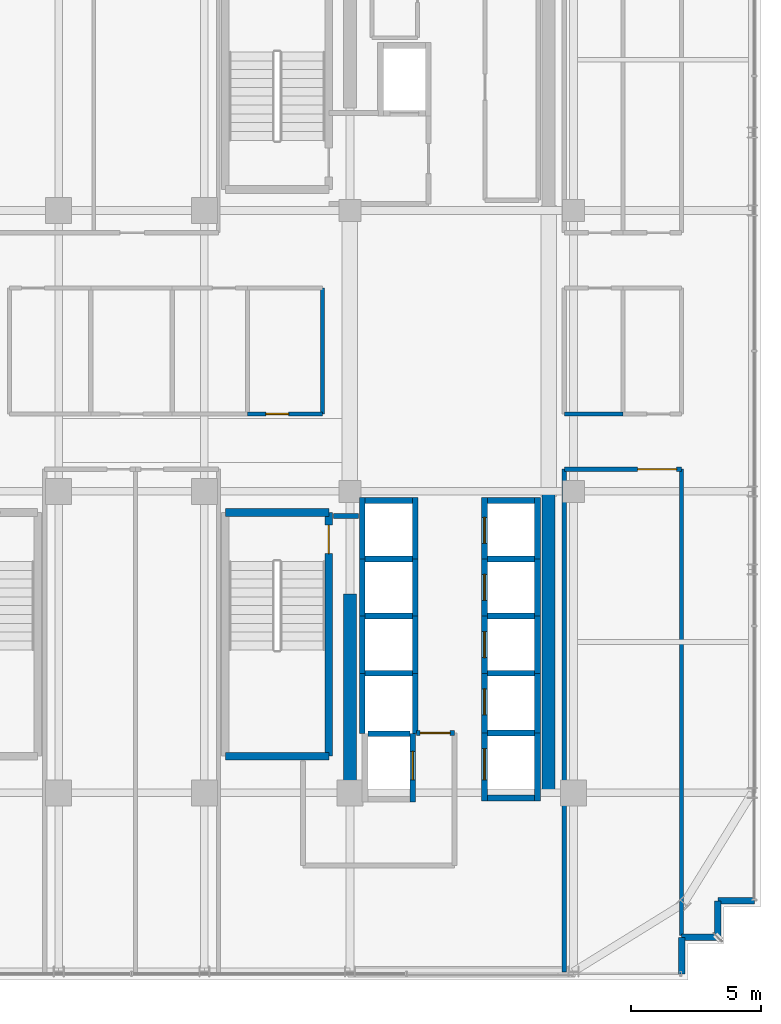
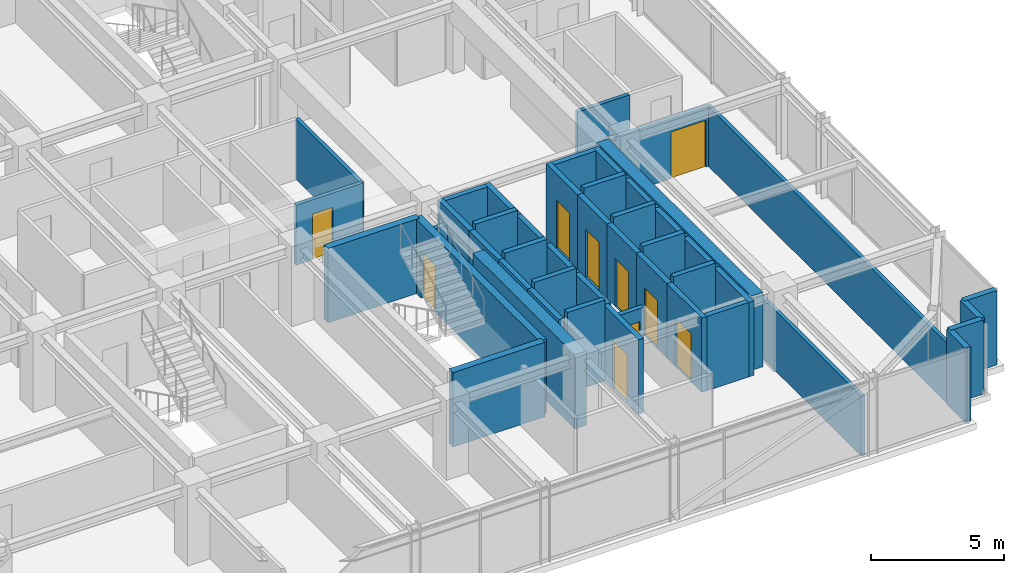
# One storey, part 35 of 41: 47 walls, 10 doors, 10 openings.
"""IFC4 building model written with IfcOpenShell, lengths in metres."""

from ifc_helpers import new_model, si_unit, direction, frame, frame_2d, origin, place, context, subcontext, project, spatial, rectangle, extrude, source, transform, mapped, material, layer, layer_set, type_object, element, fill, save


model = new_model("IFC4")

# Units and contexts
model_context = context("Model", 3, precision=1e-05, world=origin(), true_north=direction((0.0, 1.0)))
body_context = subcontext(model_context, "Body", "Model", "MODEL_VIEW")
ifc_project = project(units=[si_unit("LENGTHUNIT", "METRE"), si_unit("AREAUNIT", "SQUARE_METRE"), si_unit("VOLUMEUNIT", "CUBIC_METRE"), si_unit("PLANEANGLEUNIT", "RADIAN"), si_unit("MASSUNIT", "GRAM", prefix="KILO")], contexts=[model_context])

# Site, building, storey
site_placement = place(None, origin())
site = spatial("IfcSite", under=ifc_project, at=site_placement, CompositionType="ELEMENT")
building_placement = place(site_placement, origin())
building = spatial("IfcBuilding", under=site, at=building_placement, Name="Nahalor Promenade Grand Hotel", CompositionType="ELEMENT")
storey_placement = place(building_placement, frame((0.0, 0.0, 227.10009765625)))
storey = spatial("IfcBuildingStorey", under=building, at=storey_placement, Name="L58", CompositionType="ELEMENT", Elevation=227.10009765625)

# Walls
ifc_material_1 = material(Name="Concrete B-60 (C50/60)", Category="concrete")
ifc_layer_1 = layer(ifc_material_1, 0.5)
ifc_layer_set_1 = layer_set([ifc_layer_1], Name="Concrete B-60 (C50/60)")
wall_type_1 = type_object("IfcWallType", Name="Wall-CoreShear-500", PredefinedType="SHEAR", material=ifc_layer_set_1)
shared_shape_1 = source(origin(), body_context, "Body", "SweptSolid", [
    extrude(rectangle(XDim=7.64990234375, YDim=0.5, at=frame_2d((3.824951171875, 0.0))), origin(), (0.0, 0.0, 1.0), 3.409912109375),
])
wall_1_placement = place(storey_placement, frame((8.39990234375, -17.0, 0.0), z_axis=(0.0, 0.0, 1.0), x_axis=(0.0, 1.0, 0.0)))
element("IfcWall", 1, at=wall_1_placement, inside=storey, type_object=wall_type_1, Name="CWALL-L58-SW", PredefinedType="SHEAR", context=body_context, shape_type="MappedRepresentation", body=[
    mapped(shared_shape_1, transform((0.0, 0.0, 0.0), scale=1.0)),
])
shared_shape_2 = source(origin(), body_context, "Body", "SweptSolid", [
    extrude(rectangle(XDim=11.60009765625, YDim=0.5, at=frame_2d((5.800048828125, 0.0))), origin(), (0.0, 0.0, 1.0), 3.409912109375),
])
wall_2_placement = place(storey_placement, frame((16.050048828125, -17.0, 0.0), z_axis=(0.0, 0.0, 1.0), x_axis=(0.0, 1.0, 0.0)))
element("IfcWall", 2, at=wall_2_placement, inside=storey, type_object=wall_type_1, Name="CWALL-L58-SE", PredefinedType="SHEAR", context=body_context, shape_type="MappedRepresentation", body=[
    mapped(shared_shape_2, transform((0.0, 0.0, 0.0), scale=1.0)),
])
ifc_material_2 = material(Name="Concrete B-50 (C40/50)", Category="concrete")
ifc_layer_2 = layer(ifc_material_2, 0.300048828125)
ifc_layer_set_2 = layer_set([ifc_layer_2], Name="Concrete B-50 (C40/50)")
wall_type_2 = type_object("IfcWallType", Name="Wall-ShaftShear-300", PredefinedType="SHEAR", material=ifc_layer_set_2)
shared_shape_3 = source(origin(), body_context, "Body", "SweptSolid", [
    extrude(rectangle(XDim=3.97998046875, YDim=0.300048828125, at=frame_2d((1.989990234375, 0.0))), origin(), (0.0, 0.0, 1.0), 3.409912109375),
])
for number, where, z_axis, x_axis, name in (
    (3, (3.610107421875, -15.590087890625, 0.0), (0.0, 0.0, 1.0), (1.0, 0.0, 0.0), "L58 Exit Stair ST2 Shaft Wall S"),
    (4, (3.610107421875, -6.2099609375, 0.0), (0.0, 0.0, 1.0), (1.0, 0.0, 0.0), "L58 Exit Stair ST2 Shaft Wall N"),
):
    element("IfcWall", number, at=place(storey_placement, frame(where, z_axis=z_axis, x_axis=x_axis)), inside=storey, type_object=wall_type_2, Name=name, PredefinedType="SHEAR", context=body_context, shape_type="MappedRepresentation", body=[
        mapped(shared_shape_3, transform((0.0, 0.0, 0.0), scale=1.0)),
    ])

# Wall, opening, door
shared_shape_4 = source(origin(), body_context, "Body", "SweptSolid", [
    extrude(rectangle(XDim=9.380126953125, YDim=0.300048828125, at=frame_2d((4.68994140625, 0.0))), origin(), (0.0, 0.0, 1.0), 3.409912109375),
])
wall_3_placement = place(storey_placement, frame((7.590087890625, -15.590087890625, 0.0), z_axis=(0.0, 0.0, 1.0), x_axis=(0.0, 1.0, 0.0)))
wall_3 = element("IfcWall", 5, at=wall_3_placement, inside=storey, type_object=wall_type_2, Name="L58 Exit Stair ST2 Shaft Wall E", PredefinedType="SHEAR", context=body_context, shape_type="MappedRepresentation", body=[
    mapped(shared_shape_4, transform((0.0, 0.0, 0.0), scale=1.0)),
])
opening_1_placement = place(wall_3_placement, frame((7.7900390625, 0.0, 0.0)))
opening_1 = element("IfcOpeningElement", 6, at=opening_1_placement, cuts=wall_3, Name="Opening D-ST1", PredefinedType="OPENING", context=body_context, shape_type="SweptSolid", body=[
    extrude(rectangle(XDim=1.10009765625, YDim=2.14990234375, at=frame_2d((0.550048828125, 1.074951171875))), frame((0.0, 0.159912109375, 0.0), z_axis=(0.0, -1.0, 0.0), x_axis=(1.0, 0.0, 0.0)), (0.0, 0.0, 1.0), 0.320068359375),
])
ifc_material_3 = material(Name="Steel S355JR", Category="steel")
door_type_1 = type_object("IfcDoorType", Name="Door-StairFire-1100", OperationType="NOTDEFINED", PredefinedType="DOOR", material=ifc_material_3)
shared_shape_5 = source(origin(), body_context, "Body", "SweptSolid", [
    extrude(rectangle(XDim=1.10009765625, YDim=2.14990234375, at=frame_2d((0.550048828125, 1.074951171875))), frame((0.0, 0.02490234375, 0.0), z_axis=(0.0, -1.0, 0.0), x_axis=(1.0, 0.0, 0.0)), (0.0, 0.0, 1.0), 0.050048828125),
])
door_1_placement = place(opening_1_placement, origin())
door_1 = element("IfcDoor", 7, at=door_1_placement, inside=storey, type_object=door_type_1, Name="DR-STAIR-ST2-L58", OperationType="SINGLE_SWING_LEFT", OverallHeight=2.14990234375, OverallWidth=1.10009765625, PredefinedType="DOOR", context=body_context, shape_type="MappedRepresentation", body=[
    mapped(shared_shape_5, transform((0.0, 0.0, 0.0), scale=1.0)),
])
fill(opening_1, door_1)

ifc_layer_3 = layer(ifc_material_2, 0.219970703125)
ifc_layer_set_3 = layer_set([ifc_layer_3], Name="Concrete B-50 (C40/50)")
wall_type_3 = type_object("IfcWallType", Name="Wall-LiftShaft-220", PredefinedType="SHEAR", material=ifc_layer_set_3)
shared_shape_6 = source(origin(), body_context, "Body", "SweptSolid", [
    extrude(rectangle(XDim=2.360107421875, YDim=0.219970703125, at=frame_2d((1.18017578125, 0.0))), origin(), (0.0, 0.0, 1.0), 3.409912109375),
])
wall_4_placement = place(storey_placement, frame((13.580078125, -8.0, 0.0), z_axis=(0.0, 0.0, 1.0), x_axis=(0.0, 1.0, 0.0)))
wall_4 = element("IfcWall", 8, at=wall_4_placement, inside=storey, type_object=wall_type_3, Name="L58 Lift PL5 Hoistway Wall W", PredefinedType="SHEAR", context=body_context, shape_type="MappedRepresentation", body=[
    mapped(shared_shape_6, transform((0.0, 0.0, 0.0), scale=1.0)),
])
opening_2_placement = place(wall_4_placement, frame((0.60009765625, 0.0, 0.0)))
opening_2 = element("IfcOpeningElement", 9, at=opening_2_placement, cuts=wall_4, Name="Opening LD-01", PredefinedType="OPENING", context=body_context, shape_type="SweptSolid", body=[
    extrude(rectangle(XDim=1.0, YDim=2.199951171875, at=frame_2d((0.5, 1.10009765625))), frame((0.0, 0.119873046875, 0.0), z_axis=(0.0, -1.0, 0.0), x_axis=(1.0, 0.0, 0.0)), (0.0, 0.0, 1.0), 0.239990234375),
])
door_type_2 = type_object("IfcDoorType", Name="Door-LiftLanding-1000", OperationType="DOUBLE_DOOR_SLIDING", PredefinedType="DOOR", material=ifc_material_3)
shared_shape_7 = source(origin(), body_context, "Body", "SweptSolid", [
    extrude(rectangle(XDim=1.0, YDim=2.199951171875, at=frame_2d((0.5, 1.10009765625))), frame((0.0, 0.02490234375, 0.0), z_axis=(0.0, -1.0, 0.0), x_axis=(1.0, 0.0, 0.0)), (0.0, 0.0, 1.0), 0.050048828125),
])
door_2_placement = place(opening_2_placement, origin())
door_2 = element("IfcDoor", 10, at=door_2_placement, inside=storey, type_object=door_type_2, Name="DR-LIFT-PL5-L58", OperationType="DOUBLE_DOOR_SLIDING", OverallHeight=2.199951171875, OverallWidth=1.0, PredefinedType="DOOR", context=body_context, shape_type="MappedRepresentation", body=[
    mapped(shared_shape_7, transform((0.0, 0.0, 0.0), scale=1.0)),
])
fill(opening_2, door_2)

# Walls
for number, where, z_axis, x_axis, name in (
    (11, (15.6201171875, -8.0, 0.0), (0.0, 0.0, 1.0), (0.0, 1.0, 0.0), "L58 Lift PL5 Hoistway Wall E"),
    (12, (8.8798828125, -8.0, 0.0), (0.0, 0.0, 1.0), (0.0, 1.0, 0.0), "L58 Lift PL9 Hoistway Wall W"),
    (13, (10.919921875, -8.0, 0.0), (0.0, 0.0, 1.0), (0.0, 1.0, 0.0), "L58 Lift PL9 Hoistway Wall E"),
):
    element("IfcWall", number, at=place(storey_placement, frame(where, z_axis=z_axis, x_axis=x_axis)), inside=storey, type_object=wall_type_3, Name=name, PredefinedType="SHEAR", context=body_context, shape_type="MappedRepresentation", body=[
        mapped(shared_shape_6, transform((0.0, 0.0, 0.0), scale=1.0)),
    ])
shared_shape_8 = source(origin(), body_context, "Body", "SweptSolid", [
    extrude(rectangle(XDim=1.820068359375, YDim=0.219970703125, at=frame_2d((0.91015625, 0.0))), origin(), (0.0, 0.0, 1.0), 3.409912109375),
])
for number, where, z_axis, x_axis, name in (
    (14, (13.68994140625, -5.75, 0.0), (0.0, 0.0, 1.0), (1.0, 0.0, 0.0), "L58 Lift PL5 Hoistway Wall N"),
    (15, (8.989990234375, -5.75, 0.0), (0.0, 0.0, 1.0), (1.0, 0.0, 0.0), "L58 Lift PL9 Hoistway Wall N"),
    (16, (13.68994140625, -17.199951171875, 0.0), (0.0, 0.0, 1.0), (1.0, 0.0, 0.0), "L58 Lift SV2 Hoistway Wall S"),
):
    element("IfcWall", number, at=place(storey_placement, frame(where, z_axis=z_axis, x_axis=x_axis)), inside=storey, type_object=wall_type_3, Name=name, PredefinedType="SHEAR", context=body_context, shape_type="MappedRepresentation", body=[
        mapped(shared_shape_8, transform((0.0, 0.0, 0.0), scale=1.0)),
    ])

# Wall, opening, door
shared_shape_9 = source(origin(), body_context, "Body", "SweptSolid", [
    extrude(rectangle(XDim=2.199951171875, YDim=0.219970703125, at=frame_2d((1.10009765625, 0.0))), origin(), (0.0, 0.0, 1.0), 3.409912109375),
])
wall_5_placement = place(storey_placement, frame((13.580078125, -10.199951171875, 0.0), z_axis=(0.0, 0.0, 1.0), x_axis=(0.0, 1.0, 0.0)))
wall_5 = element("IfcWall", 17, at=wall_5_placement, inside=storey, type_object=wall_type_3, Name="L58 Lift PL6 Hoistway Wall W", PredefinedType="SHEAR", context=body_context, shape_type="MappedRepresentation", body=[
    mapped(shared_shape_9, transform((0.0, 0.0, 0.0), scale=1.0)),
])
opening_3_placement = place(wall_5_placement, frame((0.60009765625, 0.0, 0.0)))
opening_3 = element("IfcOpeningElement", 18, at=opening_3_placement, cuts=wall_5, Name="Opening LD-01", PredefinedType="OPENING", context=body_context, shape_type="SweptSolid", body=[
    extrude(rectangle(XDim=1.0, YDim=2.199951171875, at=frame_2d((0.5, 1.10009765625))), frame((0.0, 0.119873046875, 0.0), z_axis=(0.0, -1.0, 0.0), x_axis=(1.0, 0.0, 0.0)), (0.0, 0.0, 1.0), 0.239990234375),
])
door_3_placement = place(opening_3_placement, origin())
door_3 = element("IfcDoor", 19, at=door_3_placement, inside=storey, type_object=door_type_2, Name="DR-LIFT-PL6-L58", OperationType="DOUBLE_DOOR_SLIDING", OverallHeight=2.199951171875, OverallWidth=1.0, PredefinedType="DOOR", context=body_context, shape_type="MappedRepresentation", body=[
    mapped(shared_shape_7, transform((0.0, 0.0, 0.0), scale=1.0)),
])
fill(opening_3, door_3)

# Wall
wall_6_placement = place(storey_placement, frame((15.6201171875, -10.199951171875, 0.0), z_axis=(0.0, 0.0, 1.0), x_axis=(0.0, 1.0, 0.0)))
element("IfcWall", 20, at=wall_6_placement, inside=storey, type_object=wall_type_3, Name="L58 Lift PL6 Hoistway Wall E", PredefinedType="SHEAR", context=body_context, shape_type="MappedRepresentation", body=[
    mapped(shared_shape_9, transform((0.0, 0.0, 0.0), scale=1.0)),
])

# Wall, opening, door
wall_7_placement = place(storey_placement, frame((13.580078125, -12.39990234375, 0.0), z_axis=(0.0, 0.0, 1.0), x_axis=(0.0, 1.0, 0.0)))
wall_7 = element("IfcWall", 21, at=wall_7_placement, inside=storey, type_object=wall_type_3, Name="L58 Lift PL7 Hoistway Wall W", PredefinedType="SHEAR", context=body_context, shape_type="MappedRepresentation", body=[
    mapped(shared_shape_9, transform((0.0, 0.0, 0.0), scale=1.0)),
])
opening_4_placement = place(wall_7_placement, frame((0.60009765625, 0.0, 0.0)))
opening_4 = element("IfcOpeningElement", 22, at=opening_4_placement, cuts=wall_7, Name="Opening LD-01", PredefinedType="OPENING", context=body_context, shape_type="SweptSolid", body=[
    extrude(rectangle(XDim=1.0, YDim=2.199951171875, at=frame_2d((0.5, 1.10009765625))), frame((0.0, 0.119873046875, 0.0), z_axis=(0.0, -1.0, 0.0), x_axis=(1.0, 0.0, 0.0)), (0.0, 0.0, 1.0), 0.239990234375),
])
door_4_placement = place(opening_4_placement, origin())
door_4 = element("IfcDoor", 23, at=door_4_placement, inside=storey, type_object=door_type_2, Name="DR-LIFT-PL7-L58", OperationType="DOUBLE_DOOR_SLIDING", OverallHeight=2.199951171875, OverallWidth=1.0, PredefinedType="DOOR", context=body_context, shape_type="MappedRepresentation", body=[
    mapped(shared_shape_7, transform((0.0, 0.0, 0.0), scale=1.0)),
])
fill(opening_4, door_4)

# Walls
for number, where, z_axis, x_axis, name in (
    (24, (15.6201171875, -12.39990234375, 0.0), (0.0, 0.0, 1.0), (0.0, 1.0, 0.0), "L58 Lift PL7 Hoistway Wall E"),
    (25, (8.8798828125, -10.199951171875, 0.0), (0.0, 0.0, 1.0), (0.0, 1.0, 0.0), "L58 Lift PL10 Hoistway Wall W"),
    (26, (10.919921875, -10.199951171875, 0.0), (0.0, 0.0, 1.0), (0.0, 1.0, 0.0), "L58 Lift PL10 Hoistway Wall E"),
    (27, (8.8798828125, -12.39990234375, 0.0), (0.0, 0.0, 1.0), (0.0, 1.0, 0.0), "L58 Lift PL11 Hoistway Wall W"),
    (28, (10.919921875, -12.39990234375, 0.0), (0.0, 0.0, 1.0), (0.0, 1.0, 0.0), "L58 Lift PL11 Hoistway Wall E"),
):
    element("IfcWall", number, at=place(storey_placement, frame(where, z_axis=z_axis, x_axis=x_axis)), inside=storey, type_object=wall_type_3, Name=name, PredefinedType="SHEAR", context=body_context, shape_type="MappedRepresentation", body=[
        mapped(shared_shape_9, transform((0.0, 0.0, 0.0), scale=1.0)),
    ])
shared_shape_10 = source(origin(), body_context, "Body", "SweptSolid", [
    extrude(rectangle(XDim=1.820068359375, YDim=0.219970703125, at=frame_2d((0.91015625, 0.0))), origin(), (0.0, 0.0, 1.0), 3.699951171875),
])
for number, where, z_axis, x_axis, name in (
    (29, (13.68994140625, -8.0, 0.0), (0.0, 0.0, 1.0), (1.0, 0.0, 0.0), "L58 Lift PL6 Hoistway Wall N"),
    (30, (13.68994140625, -10.199951171875, 0.0), (0.0, 0.0, 1.0), (1.0, 0.0, 0.0), "L58 Lift PL7 Hoistway Wall N"),
    (31, (13.68994140625, -12.39990234375, 0.0), (0.0, 0.0, 1.0), (1.0, 0.0, 0.0), "L58 Lift PL8 Hoistway Wall N"),
    (32, (8.989990234375, -8.0, 0.0), (0.0, 0.0, 1.0), (1.0, 0.0, 0.0), "L58 Lift PL10 Hoistway Wall N"),
    (33, (8.989990234375, -10.199951171875, 0.0), (0.0, 0.0, 1.0), (1.0, 0.0, 0.0), "L58 Lift PL11 Hoistway Wall N"),
    (34, (8.989990234375, -12.39990234375, 0.0), (0.0, 0.0, 1.0), (1.0, 0.0, 0.0), "L58 Lift PL12 Hoistway Wall N"),
    (35, (13.68994140625, -14.699951171875, 0.0), (0.0, 0.0, 1.0), (1.0, 0.0, 0.0), "L58 Lift SV2 Hoistway Wall N"),
):
    element("IfcWall", number, at=place(storey_placement, frame(where, z_axis=z_axis, x_axis=x_axis)), inside=storey, type_object=wall_type_3, Name=name, PredefinedType="SHEAR", context=body_context, shape_type="MappedRepresentation", body=[
        mapped(shared_shape_10, transform((0.0, 0.0, 0.0), scale=1.0)),
    ])

# Wall, opening, door
shared_shape_11 = source(origin(), body_context, "Body", "SweptSolid", [
    extrude(rectangle(XDim=2.300048828125, YDim=0.219970703125, at=frame_2d((1.14990234375, 0.0))), origin(), (0.0, 0.0, 1.0), 3.409912109375),
])
wall_8_placement = place(storey_placement, frame((13.580078125, -14.699951171875, 0.0), z_axis=(0.0, 0.0, 1.0), x_axis=(0.0, 1.0, 0.0)))
wall_8 = element("IfcWall", 36, at=wall_8_placement, inside=storey, type_object=wall_type_3, Name="L58 Lift PL8 Hoistway Wall W", PredefinedType="SHEAR", context=body_context, shape_type="MappedRepresentation", body=[
    mapped(shared_shape_11, transform((0.0, 0.0, 0.0), scale=1.0)),
])
opening_5_placement = place(wall_8_placement, frame((0.699951171875, 0.0, 0.0)))
opening_5 = element("IfcOpeningElement", 37, at=opening_5_placement, cuts=wall_8, Name="Opening LD-01", PredefinedType="OPENING", context=body_context, shape_type="SweptSolid", body=[
    extrude(rectangle(XDim=1.0, YDim=2.199951171875, at=frame_2d((0.5, 1.10009765625))), frame((0.0, 0.119873046875, 0.0), z_axis=(0.0, -1.0, 0.0), x_axis=(1.0, 0.0, 0.0)), (0.0, 0.0, 1.0), 0.239990234375),
])
door_5_placement = place(opening_5_placement, origin())
door_5 = element("IfcDoor", 38, at=door_5_placement, inside=storey, type_object=door_type_2, Name="DR-LIFT-PL8-L58", OperationType="DOUBLE_DOOR_SLIDING", OverallHeight=2.199951171875, OverallWidth=1.0, PredefinedType="DOOR", context=body_context, shape_type="MappedRepresentation", body=[
    mapped(shared_shape_7, transform((0.0, 0.0, 0.0), scale=1.0)),
])
fill(opening_5, door_5)

# Walls
wall_9_placement = place(storey_placement, frame((15.6201171875, -14.699951171875, 0.0), z_axis=(0.0, 0.0, 1.0), x_axis=(0.0, 1.0, 0.0)))
element("IfcWall", 39, at=wall_9_placement, inside=storey, type_object=wall_type_3, Name="L58 Lift PL8 Hoistway Wall E", PredefinedType="SHEAR", context=body_context, shape_type="MappedRepresentation", body=[
    mapped(shared_shape_11, transform((0.0, 0.0, 0.0), scale=1.0)),
])
shared_shape_12 = source(origin(), body_context, "Body", "SweptSolid", [
    extrude(rectangle(XDim=2.3251953125, YDim=0.219970703125, at=frame_2d((1.16259765625, 0.0))), origin(), (0.0, 0.0, 1.0), 3.409912109375),
])
for number, where, z_axis, x_axis, name in (
    (40, (8.8798828125, -14.72509765625, 0.0), (0.0, 0.0, 1.0), (0.0, 1.0, 0.0), "L58 Lift PL12 Hoistway Wall W"),
    (41, (10.919921875, -14.72509765625, 0.0), (0.0, 0.0, 1.0), (0.0, 1.0, 0.0), "L58 Lift PL12 Hoistway Wall E"),
):
    element("IfcWall", number, at=place(storey_placement, frame(where, z_axis=z_axis, x_axis=x_axis)), inside=storey, type_object=wall_type_3, Name=name, PredefinedType="SHEAR", context=body_context, shape_type="MappedRepresentation", body=[
        mapped(shared_shape_12, transform((0.0, 0.0, 0.0), scale=1.0)),
    ])

# Wall, opening, door
shared_shape_13 = source(origin(), body_context, "Body", "SweptSolid", [
    extrude(rectangle(XDim=2.635009765625, YDim=0.219970703125, at=frame_2d((1.3173828125, 0.0))), origin(), (0.0, 0.0, 1.0), 3.409912109375),
])
wall_10_placement = place(storey_placement, frame((10.820068359375, -17.360107421875, 0.0), z_axis=(0.0, 0.0, 1.0), x_axis=(0.0, 1.0, 0.0)))
wall_10 = element("IfcWall", 42, at=wall_10_placement, inside=storey, type_object=wall_type_3, Name="L58 Lift FL2 Hoistway Wall E", PredefinedType="SHEAR", context=body_context, shape_type="MappedRepresentation", body=[
    mapped(shared_shape_13, transform((0.0, 0.0, 0.0), scale=1.0)),
])
opening_6_placement = place(wall_10_placement, frame((0.860107421875, 0.0, 0.0)))
opening_6 = element("IfcOpeningElement", 43, at=opening_6_placement, cuts=wall_10, Name="Opening LD-02", PredefinedType="OPENING", context=body_context, shape_type="SweptSolid", body=[
    extrude(rectangle(XDim=1.10009765625, YDim=2.199951171875, at=frame_2d((0.550048828125, 1.10009765625))), frame((0.0, 0.119873046875, 0.0), z_axis=(0.0, -1.0, 0.0), x_axis=(1.0, 0.0, 0.0)), (0.0, 0.0, 1.0), 0.239990234375),
])
door_type_3 = type_object("IfcDoorType", Name="Door-LiftFF-1100", OperationType="DOUBLE_DOOR_SLIDING", PredefinedType="DOOR", material=ifc_material_3)
shared_shape_14 = source(origin(), body_context, "Body", "SweptSolid", [
    extrude(rectangle(XDim=1.10009765625, YDim=2.199951171875, at=frame_2d((0.550048828125, 1.10009765625))), frame((0.0, 0.02490234375, 0.0), z_axis=(0.0, -1.0, 0.0), x_axis=(1.0, 0.0, 0.0)), (0.0, 0.0, 1.0), 0.050048828125),
])
door_6_placement = place(opening_6_placement, frame((1.10009765625, 0.0, 0.0), z_axis=(0.0, 0.0, 1.0), x_axis=(-1.0, 0.0, 0.0)))
door_6 = element("IfcDoor", 44, at=door_6_placement, inside=storey, type_object=door_type_3, Name="DR-LIFT-FL2-L58", OperationType="DOUBLE_DOOR_SLIDING", OverallHeight=2.199951171875, OverallWidth=1.10009765625, PredefinedType="DOOR", context=body_context, shape_type="MappedRepresentation", body=[
    mapped(shared_shape_14, transform((0.0, 0.0, 0.0), scale=1.0)),
])
fill(opening_6, door_6)

# Wall
shared_shape_15 = source(origin(), body_context, "Body", "SweptSolid", [
    extrude(rectangle(XDim=1.619873046875, YDim=0.219970703125, at=frame_2d((0.81005859375, 0.0))), origin(), (0.0, 0.0, 1.0), 3.699951171875),
])
wall_11_placement = place(storey_placement, frame((9.090087890625, -14.72509765625, 0.0), z_axis=(0.0, 0.0, 1.0), x_axis=(1.0, 0.0, 0.0)))
element("IfcWall", 45, at=wall_11_placement, inside=storey, type_object=wall_type_3, Name="L58 Lift FL2 Hoistway Wall N", PredefinedType="SHEAR", context=body_context, shape_type="MappedRepresentation", body=[
    mapped(shared_shape_15, transform((0.0, 0.0, 0.0), scale=1.0)),
])

# Wall, opening, door
shared_shape_16 = source(origin(), body_context, "Body", "SweptSolid", [
    extrude(rectangle(XDim=2.610107421875, YDim=0.219970703125, at=frame_2d((1.30517578125, 0.0))), origin(), (0.0, 0.0, 1.0), 3.409912109375),
])
wall_12_placement = place(storey_placement, frame((13.580078125, -17.31005859375, 0.0), z_axis=(0.0, 0.0, 1.0), x_axis=(0.0, 1.0, 0.0)))
wall_12 = element("IfcWall", 46, at=wall_12_placement, inside=storey, type_object=wall_type_3, Name="L58 Lift SV2 Hoistway Wall W", PredefinedType="SHEAR", context=body_context, shape_type="MappedRepresentation", body=[
    mapped(shared_shape_16, transform((0.0, 0.0, 0.0), scale=1.0)),
])
opening_7_placement = place(wall_12_placement, frame((0.81005859375, 0.0, 0.0)))
opening_7 = element("IfcOpeningElement", 47, at=opening_7_placement, cuts=wall_12, Name="Opening LD-03", PredefinedType="OPENING", context=body_context, shape_type="SweptSolid", body=[
    extrude(rectangle(XDim=1.199951171875, YDim=2.199951171875, at=frame_2d((0.60009765625, 1.10009765625))), frame((0.0, 0.119873046875, 0.0), z_axis=(0.0, -1.0, 0.0), x_axis=(1.0, 0.0, 0.0)), (0.0, 0.0, 1.0), 0.239990234375),
])
door_type_4 = type_object("IfcDoorType", Name="Door-LiftService-1200", OperationType="DOUBLE_DOOR_SLIDING", PredefinedType="DOOR", material=ifc_material_3)
shared_shape_17 = source(origin(), body_context, "Body", "SweptSolid", [
    extrude(rectangle(XDim=1.199951171875, YDim=2.199951171875, at=frame_2d((0.60009765625, 1.10009765625))), frame((0.0, 0.02490234375, 0.0), z_axis=(0.0, -1.0, 0.0), x_axis=(1.0, 0.0, 0.0)), (0.0, 0.0, 1.0), 0.050048828125),
])
door_7_placement = place(opening_7_placement, origin())
door_7 = element("IfcDoor", 48, at=door_7_placement, inside=storey, type_object=door_type_4, Name="DR-LIFT-SV2-L58", OperationType="DOUBLE_DOOR_SLIDING", OverallHeight=2.199951171875, OverallWidth=1.199951171875, PredefinedType="DOOR", context=body_context, shape_type="MappedRepresentation", body=[
    mapped(shared_shape_17, transform((0.0, 0.0, 0.0), scale=1.0)),
])
fill(opening_7, door_7)

# Walls
wall_13_placement = place(storey_placement, frame((15.6201171875, -17.31005859375, 0.0), z_axis=(0.0, 0.0, 1.0), x_axis=(0.0, 1.0, 0.0)))
element("IfcWall", 49, at=wall_13_placement, inside=storey, type_object=wall_type_3, Name="L58 Lift SV2 Hoistway Wall E", PredefinedType="SHEAR", context=body_context, shape_type="MappedRepresentation", body=[
    mapped(shared_shape_16, transform((0.0, 0.0, 0.0), scale=1.0)),
])
ifc_material_4 = material(Name="Concrete B-40 (C32/40)", Category="concrete")
ifc_layer_4 = layer(ifc_material_4, 0.25)
ifc_layer_set_4 = layer_set([ifc_layer_4], Name="Concrete B-40 (C32/40)")
wall_type_4 = type_object("IfcWallType", Name="Wall-BronzePier-250", PredefinedType="STANDARD", material=ifc_layer_set_4)
shared_shape_18 = source(origin(), body_context, "Body", "SweptSolid", [
    extrude(rectangle(XDim=1.39990234375, YDim=0.25, at=frame_2d((0.699951171875, 0.0))), origin(), (0.0, 0.0, 1.0), 3.409912109375),
])
for number, where, z_axis, x_axis, name in (
    (50, (21.159912109375, -23.9599609375, 0.0), (0.0, 0.0, 1.0), (0.0, 1.0, 0.0), "W-L58-SR-01"),
    (51, (22.56005859375, -21.159912109375, 0.0), (0.0, 0.0, 1.0), (1.0, 0.0, 0.0), "W-L58-SR-04"),
):
    element("IfcWall", number, at=place(storey_placement, frame(where, z_axis=z_axis, x_axis=x_axis)), inside=storey, type_object=wall_type_4, Name=name, PredefinedType="STANDARD", context=body_context, shape_type="MappedRepresentation", body=[
        mapped(shared_shape_18, transform((0.0, 0.0, 0.0), scale=1.0)),
    ])
shared_shape_19 = source(origin(), body_context, "Body", "SweptSolid", [
    extrude(rectangle(XDim=1.400146484375, YDim=0.25, at=frame_2d((0.7001953125, 0.0))), origin(), (0.0, 0.0, 1.0), 3.409912109375),
])
for number, where, z_axis, x_axis, name in (
    (52, (21.159912109375, -22.56005859375, 0.0), (0.0, 0.0, 1.0), (1.0, 0.0, 0.0), "W-L58-SR-02"),
    (53, (22.56005859375, -22.56005859375, 0.0), (0.0, 0.0, 1.0), (0.0, 1.0, 0.0), "W-L58-SR-03"),
):
    element("IfcWall", number, at=place(storey_placement, frame(where, z_axis=z_axis, x_axis=x_axis)), inside=storey, type_object=wall_type_4, Name=name, PredefinedType="STANDARD", context=body_context, shape_type="MappedRepresentation", body=[
        mapped(shared_shape_19, transform((0.0, 0.0, 0.0), scale=1.0)),
    ])

# Wall, opening, door
ifc_layer_5 = layer(ifc_material_4, 0.199951171875)
ifc_layer_set_5 = layer_set([ifc_layer_5], Name="Concrete B-40 (C32/40)")
wall_type_5 = type_object("IfcWallType", Name="Wall-PartFire-200", PredefinedType="PARTITIONING", material=ifc_layer_set_5)
shared_shape_20 = source(origin(), body_context, "Body", "SweptSolid", [
    extrude(rectangle(XDim=1.4599609375, YDim=0.199951171875, at=frame_2d((0.72998046875, 0.0))), origin(), (0.0, 0.0, 1.0), 2.75),
])
wall_14_placement = place(storey_placement, frame((10.9599609375, -14.699951171875, 0.0), z_axis=(0.0, 0.0, 1.0), x_axis=(1.0, 0.0, 0.0)))
wall_14 = element("IfcWall", 54, at=wall_14_placement, inside=storey, type_object=wall_type_5, Name="W-L58-FF2-N1", PredefinedType="PARTITIONING", context=body_context, shape_type="MappedRepresentation", body=[
    mapped(shared_shape_20, transform((0.0, 0.0, 0.0), scale=1.0)),
])
opening_8_placement = place(wall_14_placement, frame((0.14501953125, 0.0, 0.0)))
opening_8 = element("IfcOpeningElement", 55, at=opening_8_placement, cuts=wall_14, Name="Opening D-FF1", PredefinedType="OPENING", context=body_context, shape_type="SweptSolid", body=[
    extrude(rectangle(XDim=1.14990234375, YDim=2.14990234375, at=frame_2d((0.574951171875, 1.074951171875))), frame((0.0, 0.10986328125, 0.0), z_axis=(0.0, -1.0, 0.0), x_axis=(1.0, 0.0, 0.0)), (0.0, 0.0, 1.0), 0.219970703125),
])
door_type_5 = type_object("IfcDoorType", Name="Door-FFLobby-1150", OperationType="NOTDEFINED", PredefinedType="DOOR", material=ifc_material_3)
shared_shape_21 = source(origin(), body_context, "Body", "SweptSolid", [
    extrude(rectangle(XDim=1.14990234375, YDim=2.14990234375, at=frame_2d((0.574951171875, 1.074951171875))), frame((0.0, 0.02490234375, 0.0), z_axis=(0.0, -1.0, 0.0), x_axis=(1.0, 0.0, 0.0)), (0.0, 0.0, 1.0), 0.050048828125),
])
door_8_placement = place(opening_8_placement, origin())
door_8 = element("IfcDoor", 56, at=door_8_placement, inside=storey, type_object=door_type_5, Name="DR-L58-FFL2", OperationType="SINGLE_SWING_LEFT", OverallHeight=2.14990234375, OverallWidth=1.14990234375, PredefinedType="DOOR", context=body_context, shape_type="MappedRepresentation", body=[
    mapped(shared_shape_21, transform((0.0, 0.0, 0.0), scale=1.0)),
])
fill(opening_8, door_8)

# Walls
shared_shape_22 = source(origin(), body_context, "Body", "SweptSolid", [
    extrude(rectangle(XDim=0.969970703125, YDim=0.199951171875, at=frame_2d((0.48486328125, 0.0))), origin(), (0.0, 0.0, 1.0), 2.75),
])
wall_15_placement = place(storey_placement, frame((7.77001953125, -6.35009765625, 0.0), z_axis=(0.0, 0.0, 1.0), x_axis=(1.0, 0.0, 0.0)))
element("IfcWall", 57, at=wall_15_placement, inside=storey, type_object=wall_type_5, Name="W-L58-FF2-N2", PredefinedType="PARTITIONING", context=body_context, shape_type="MappedRepresentation", body=[
    mapped(shared_shape_22, transform((0.0, 0.0, 0.0), scale=1.0)),
])
ifc_material_5 = material(Name="Acoustic Mineral Gypsum", Category="gypsum")
ifc_layer_6 = layer(ifc_material_5, 0.159912109375)
ifc_layer_set_6 = layer_set([ifc_layer_6], Name="Acoustic Mineral Gypsum")
wall_type_6 = type_object("IfcWallType", Name="Wall-PartCorridor-160", PredefinedType="PARTITIONING", material=ifc_layer_set_6)
shared_shape_23 = source(origin(), body_context, "Body", "SweptSolid", [
    extrude(rectangle(XDim=2.255126953125, YDim=0.159912109375, at=frame_2d((1.12744140625, 0.0))), origin(), (0.0, 0.0, 1.0), 2.75),
])
wall_16_placement = place(storey_placement, frame((16.64990234375, -2.419921875, 0.0), z_axis=(0.0, 0.0, 1.0), x_axis=(1.0, 0.0, 0.0)))
element("IfcWall", 58, at=wall_16_placement, inside=storey, type_object=wall_type_6, Name="W-L58-ECW1-S", PredefinedType="PARTITIONING", context=body_context, shape_type="MappedRepresentation", body=[
    mapped(shared_shape_23, transform((0.0, 0.0, 0.0), scale=1.0)),
])
shared_shape_24 = source(origin(), body_context, "Body", "SweptSolid", [
    extrude(rectangle(XDim=19.349853515625, YDim=0.159912109375, at=frame_2d((9.6748046875, 0.0))), origin(), (0.0, 0.0, 1.0), 2.75),
])
wall_17_placement = place(storey_placement, frame((16.64990234375, -23.89990234375, 0.0), z_axis=(0.0, 0.0, 1.0), x_axis=(0.0, 1.0, 0.0)))
element("IfcWall", 59, at=wall_17_placement, inside=storey, type_object=wall_type_6, Name="W-L58-ESE-W", PredefinedType="PARTITIONING", context=body_context, shape_type="MappedRepresentation", body=[
    mapped(shared_shape_24, transform((0.0, 0.0, 0.0), scale=1.0)),
])
shared_shape_25 = source(origin(), body_context, "Body", "SweptSolid", [
    extrude(rectangle(XDim=17.929931640625, YDim=0.159912109375, at=frame_2d((8.96484375, 0.0))), origin(), (0.0, 0.0, 1.0), 2.75),
])
wall_18_placement = place(storey_placement, frame((21.159912109375, -22.47998046875, 0.0), z_axis=(0.0, 0.0, 1.0), x_axis=(0.0, 1.0, 0.0)))
element("IfcWall", 60, at=wall_18_placement, inside=storey, type_object=wall_type_6, Name="W-L58-ESE-E", PredefinedType="PARTITIONING", context=body_context, shape_type="MappedRepresentation", body=[
    mapped(shared_shape_25, transform((0.0, 0.0, 0.0), scale=1.0)),
])
shared_shape_26 = source(origin(), body_context, "Body", "SweptSolid", [
    extrude(rectangle(XDim=4.83984375, YDim=0.159912109375, at=frame_2d((2.419921875, 0.0))), origin(), (0.0, 0.0, 1.0), 2.75),
])
wall_19_placement = place(storey_placement, frame((7.35009765625, -2.419921875, 0.0), z_axis=(0.0, 0.0, 1.0), x_axis=(0.0, 1.0, 0.0)))
element("IfcWall", 61, at=wall_19_placement, inside=storey, type_object=wall_type_6, Name="W-L58-CM4-E", PredefinedType="PARTITIONING", context=body_context, shape_type="MappedRepresentation", body=[
    mapped(shared_shape_26, transform((0.0, 0.0, 0.0), scale=1.0)),
])

# Wall, opening, door
shared_shape_27 = source(origin(), body_context, "Body", "SweptSolid", [
    extrude(rectangle(XDim=4.510009765625, YDim=0.159912109375, at=frame_2d((2.2548828125, 0.0))), origin(), (0.0, 0.0, 1.0), 2.75),
])
wall_20_placement = place(storey_placement, frame((16.64990234375, -4.550048828125, 0.0), z_axis=(0.0, 0.0, 1.0), x_axis=(1.0, 0.0, 0.0)))
wall_20 = element("IfcWall", 62, at=wall_20_placement, inside=storey, type_object=wall_type_6, Name="W-L58-ESE-N", PredefinedType="PARTITIONING", context=body_context, shape_type="MappedRepresentation", body=[
    mapped(shared_shape_27, transform((0.0, 0.0, 0.0), scale=1.0)),
])
opening_9_placement = place(wall_20_placement, frame((2.820068359375, 0.0, 0.0)))
opening_9 = element("IfcOpeningElement", 63, at=opening_9_placement, cuts=wall_20, Name="Opening D-02", PredefinedType="OPENING", context=body_context, shape_type="SweptSolid", body=[
    extrude(rectangle(XDim=1.5, YDim=2.14990234375, at=frame_2d((0.75, 1.074951171875))), frame((0.0, 0.08984375, 0.0), z_axis=(0.0, -1.0, 0.0), x_axis=(1.0, 0.0, 0.0)), (0.0, 0.0, 1.0), 0.179931640625),
])
ifc_material_6 = material(Name="Fire-Rated Timber Composite", Category="wood")
door_type_6 = type_object("IfcDoorType", Name="Door-SuiteDouble-1500", OperationType="DOUBLE_DOOR_SINGLE_SWING", PredefinedType="DOOR", material=ifc_material_6)
shared_shape_28 = source(origin(), body_context, "Body", "SweptSolid", [
    extrude(rectangle(XDim=1.5, YDim=2.14990234375, at=frame_2d((0.75, 1.074951171875))), frame((0.0, 0.02490234375, 0.0), z_axis=(0.0, -1.0, 0.0), x_axis=(1.0, 0.0, 0.0)), (0.0, 0.0, 1.0), 0.050048828125),
])
door_9_placement = place(opening_9_placement, frame((1.5, 0.0, 0.0), z_axis=(0.0, 0.0, 1.0), x_axis=(-1.0, 0.0, 0.0)))
door_9 = element("IfcDoor", 64, at=door_9_placement, inside=storey, type_object=door_type_6, Name="DR-L58-ESE", OperationType="DOUBLE_DOOR_SINGLE_SWING", OverallHeight=2.14990234375, OverallWidth=1.5, PredefinedType="DOOR", context=body_context, shape_type="MappedRepresentation", body=[
    mapped(shared_shape_28, transform((0.0, 0.0, 0.0), scale=1.0)),
])
fill(opening_9, door_9)

shared_shape_29 = source(origin(), body_context, "Body", "SweptSolid", [
    extrude(rectangle(XDim=2.89208984375, YDim=0.159912109375, at=frame_2d((1.446044921875, 0.0))), origin(), (0.0, 0.0, 1.0), 2.75),
])
wall_21_placement = place(storey_placement, frame((4.4580078125, -2.419921875, 0.0), z_axis=(0.0, 0.0, 1.0), x_axis=(1.0, 0.0, 0.0)))
wall_21 = element("IfcWall", 65, at=wall_21_placement, inside=storey, type_object=wall_type_6, Name="W-L58-CM4-S", PredefinedType="PARTITIONING", context=body_context, shape_type="MappedRepresentation", body=[
    mapped(shared_shape_29, transform((0.0, 0.0, 0.0), scale=1.0)),
])
opening_10_placement = place(wall_21_placement, frame((0.7109375, 0.0, 0.0)))
opening_10 = element("IfcOpeningElement", 66, at=opening_10_placement, cuts=wall_21, Name="Opening D-03", PredefinedType="OPENING", context=body_context, shape_type="SweptSolid", body=[
    extrude(rectangle(XDim=0.8798828125, YDim=2.10009765625, at=frame_2d((0.43994140625, 1.050048828125))), frame((0.0, 0.08984375, 0.0), z_axis=(0.0, -1.0, 0.0), x_axis=(1.0, 0.0, 0.0)), (0.0, 0.0, 1.0), 0.179931640625),
])
door_type_7 = type_object("IfcDoorType", Name="Door-BathSwing-880", OperationType="NOTDEFINED", PredefinedType="DOOR", material=ifc_material_6)
shared_shape_30 = source(origin(), body_context, "Body", "SweptSolid", [
    extrude(rectangle(XDim=0.8798828125, YDim=2.10009765625, at=frame_2d((0.43994140625, 1.050048828125))), frame((0.0, 0.02490234375, 0.0), z_axis=(0.0, -1.0, 0.0), x_axis=(1.0, 0.0, 0.0)), (0.0, 0.0, 1.0), 0.050048828125),
])
door_10_placement = place(opening_10_placement, origin())
door_10 = element("IfcDoor", 67, at=door_10_placement, inside=storey, type_object=door_type_7, Name="DR-L58-CM4", OperationType="SINGLE_SWING_LEFT", OverallHeight=2.10009765625, OverallWidth=0.8798828125, PredefinedType="DOOR", context=body_context, shape_type="MappedRepresentation", body=[
    mapped(shared_shape_30, transform((0.0, 0.0, 0.0), scale=1.0)),
])
fill(opening_10, door_10)

save(model, "model.ifc")
